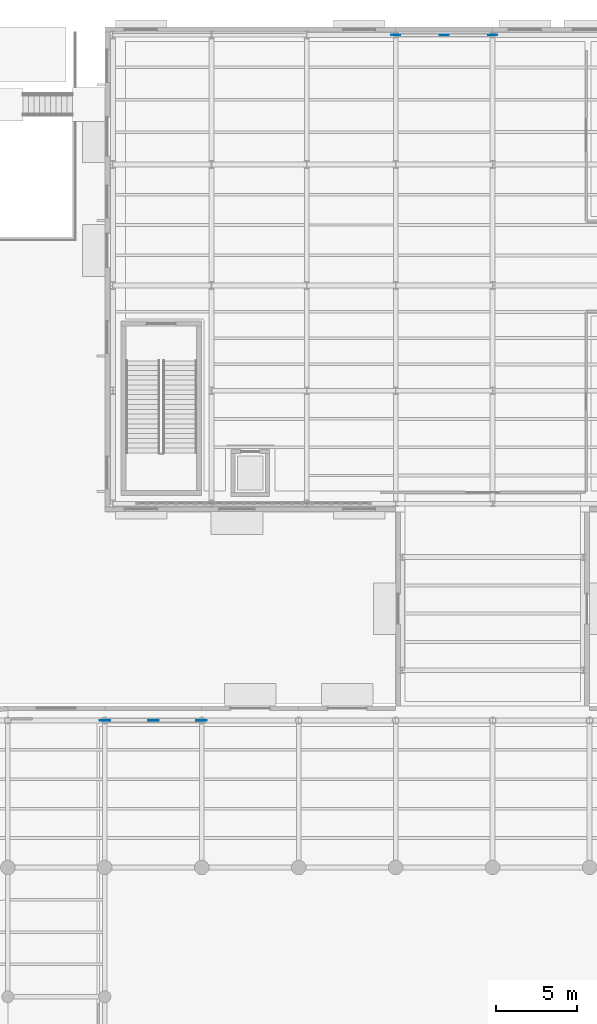
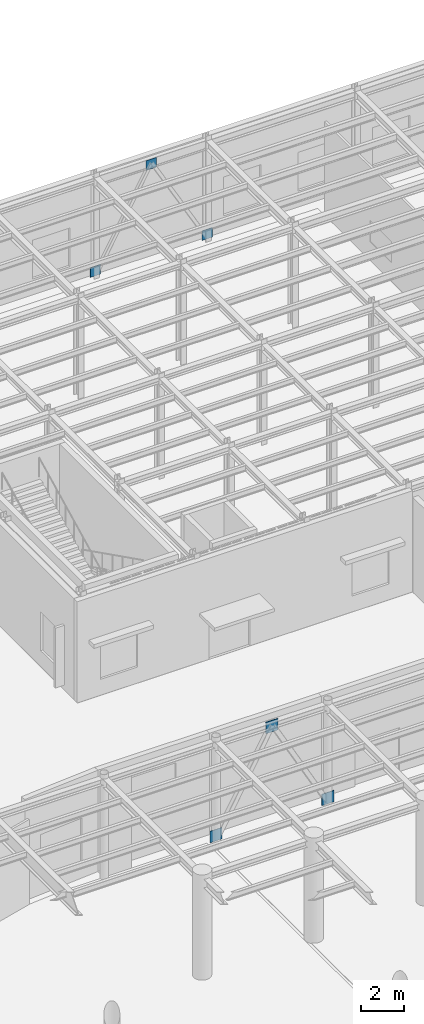
# One storey, part 84 of 118: 6 plates.
"""IFC4 building model written with IfcOpenShell, lengths in metres."""

from ifc_helpers import new_model, si_unit, direction, frame, origin, origin_2d, place, context, subcontext, project, spatial, rectangle, extrude, material, layer, layer_set, type_object, element, save


model = new_model("IFC4")

# Units and contexts
model_context = context("Model", 3, precision=1e-05, world=origin(), true_north=direction((0.0, 1.0)))
body_context = subcontext(model_context, "Body", "Model", "MODEL_VIEW")
ifc_project = project(units=[si_unit("LENGTHUNIT", "METRE"), si_unit("AREAUNIT", "SQUARE_METRE"), si_unit("VOLUMEUNIT", "CUBIC_METRE"), si_unit("PLANEANGLEUNIT", "RADIAN"), si_unit("MASSUNIT", "GRAM", prefix="KILO")], contexts=[model_context])

# Site, building, storey
site_placement = place(None, origin())
site = spatial("IfcSite", under=ifc_project, at=site_placement, CompositionType="ELEMENT")
building_placement = place(site_placement, origin())
building = spatial("IfcBuilding", under=site, at=building_placement, Name="Kolvaren Corner Interchange", CompositionType="ELEMENT")
storey_placement = place(building_placement, origin())
storey = spatial("IfcBuildingStorey", under=building, at=storey_placement, Name="L01", CompositionType="ELEMENT", Elevation=0.0)

# Plates
ifc_material_1 = material(Name="Steel S355", Category="steel")
ifc_layer_1 = layer(ifc_material_1, 0.02490234375)
ifc_layer_set_1 = layer_set([ifc_layer_1], Name="Steel S355")
plate_type_1 = type_object("IfcPlateType", Name="PL-GUSSET-25", PredefinedType="USERDEFINED", material=ifc_layer_set_1)
for number, where, z_axis, x_axis, name in (
    (1, (84.0, 113.5, 0.06494140625), (0.0, 0.0, 1.0), (1.0, 0.0, 0.0), "Storey L01 Bolted Steel Gusset Plate 10 Base Left"),
    (2, (90.0, 113.5, 0.06494140625), (0.0, 0.0, 1.0), (1.0, 0.0, 0.0), "Storey L01 Bolted Steel Gusset Plate 10 Base Right"),
    (3, (87.0, 113.5, 5.08984375), (0.0, 0.0, 1.0), (1.0, 0.0, 0.0), "Storey L01 Bolted Steel Gusset Plate 10 Apex"),
):
    element("IfcPlate", number, at=place(storey_placement, frame(where, z_axis=z_axis, x_axis=x_axis)), inside=storey, type_object=plate_type_1, Name=name, ObjectType="GUSSET PLATE", PredefinedType="USERDEFINED", context=body_context, shape_type="SweptSolid", body=[
        extrude(rectangle(XDim=0.550048828125, YDim=0.02490234375, at=origin_2d()), origin(), (0.0, 0.0, 1.0), 0.550048828125),
    ])
ifc_material_2 = material(Name="Steel S355", Category="steel")
ifc_layer_2 = layer(ifc_material_2, 0.030029296875)
ifc_layer_set_2 = layer_set([ifc_layer_2], Name="Steel S355")
plate_type_2 = type_object("IfcPlateType", Name="PL-GUSSET-30", PredefinedType="USERDEFINED", material=ifc_layer_set_2)
for number, where, z_axis, x_axis, name in (
    (4, (66.0, 71.10009765625, 0.01513671875), (0.0, 0.0, 1.0), (1.0, 0.0, 0.0), "Storey L01 Bolted Steel Gusset Plate 12 Base Left"),
    (5, (72.0, 71.10009765625, 0.01513671875), (0.0, 0.0, 1.0), (1.0, 0.0, 0.0), "Storey L01 Bolted Steel Gusset Plate 12 Base Right"),
    (6, (69.0, 71.10009765625, 5.150146484375), (0.0, 0.0, 1.0), (1.0, 0.0, 0.0), "Storey L01 Bolted Steel Gusset Plate 12 Apex"),
):
    element("IfcPlate", number, at=place(storey_placement, frame(where, z_axis=z_axis, x_axis=x_axis)), inside=storey, type_object=plate_type_2, Name=name, ObjectType="GUSSET PLATE", PredefinedType="USERDEFINED", context=body_context, shape_type="SweptSolid", body=[
        extrude(rectangle(XDim=0.64990234375, YDim=0.030029296875, at=origin_2d()), origin(), (0.0, 0.0, 1.0), 0.64990234375),
    ])

save(model, "model.ifc")
